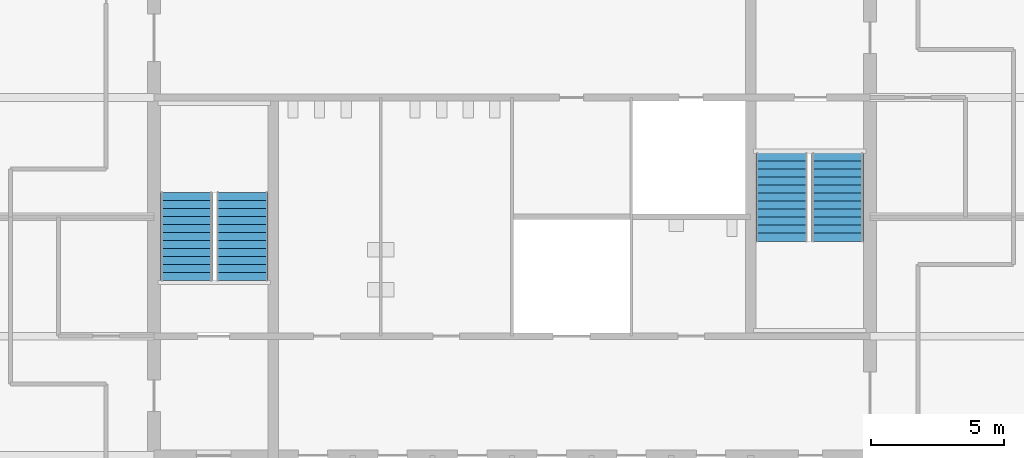
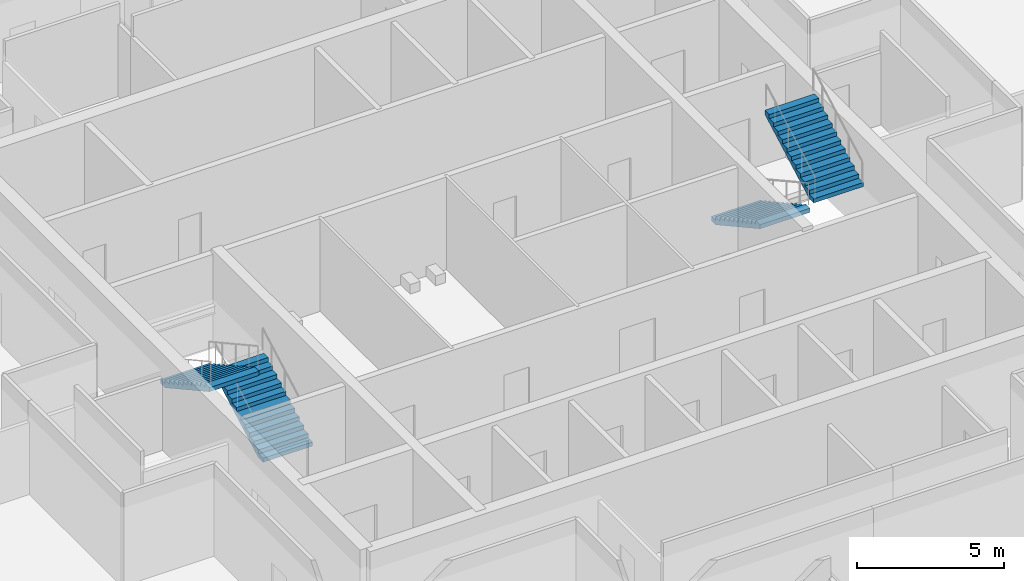
# One storey, part 11 of 13: 4 stair flights, 2 elements without a shape of their own.
"""IFC4 building model written with IfcOpenShell, lengths in metres."""

import ifcopenshell
import ifcopenshell.guid

model = None  # the IFC model being written
_history = None  # IfcOwnerHistory: only IFC2X3 demands one
_inside = {}  # id of a spatial element -> (the spatial element, [elements in it])
_under = {}  # id of a project, library or spatial element -> (it, [spatial elements below it])
_declared = {}  # id of a project -> (the project, [libraries it declares])
_typed = {}  # id of a type object -> (the type object, [elements of that type])
_made_of = {}  # id of a material, layer set ... -> (it, [elements and type objects made of it])


def new_model(schema):
    """Start an empty IFC model of exactly this schema.

    Asked for "IFC4X3", IfcOpenShell would pick the latest addendum, in which some entities
    have other attributes; the version numbers below select the first issue.
    IFC2X3 requires an IfcOwnerHistory on every rooted entity: one is made here for all.
    """
    global model, _history
    if schema == "IFC4X3":
        model = ifcopenshell.file(schema_version=(4, 3, 0, 0))
    else:
        model = ifcopenshell.file(schema=schema)
    _inside.clear()
    _under.clear()
    _declared.clear()
    _typed.clear()
    _made_of.clear()
    _history = None
    if model.schema == "IFC2X3":
        org = make("IfcOrganization", Name="unknown")
        user = make(
            "IfcPersonAndOrganization",
            ThePerson=make("IfcPerson", FamilyName="unknown"),
            TheOrganization=org,
        )
        app = make(
            "IfcApplication",
            ApplicationDeveloper=org,
            Version="unknown",
            ApplicationFullName="unknown",
            ApplicationIdentifier="unknown",
        )
        _history = make(
            "IfcOwnerHistory",
            OwningUser=user,
            OwningApplication=app,
            ChangeAction="ADDED",
            CreationDate=0,
        )
    return model


def make(cls, **values):
    """One entity of the class cls with the attributes given. An attribute that is None is left unset."""
    return model.create_entity(
        cls, **{name: value for name, value in values.items() if value is not None}
    )


def rooted(cls, **values):
    """An entity with a GlobalId (a new one), such as an element, a storey or a relation."""
    return make(cls, GlobalId=ifcopenshell.guid.new(), OwnerHistory=_history, **values)


def si_unit(unit_type, name, prefix=None):
    """IfcSIUnit, for example si_unit("LENGTHUNIT", "METRE", prefix="MILLI")."""
    return make("IfcSIUnit", UnitType=unit_type, Prefix=prefix, Name=name)


def assignment(units):
    """IfcUnitAssignment: the units of a project."""
    return None if units is None else make("IfcUnitAssignment", Units=units)


def point(xyz):
    """IfcCartesianPoint."""
    return None if xyz is None else make("IfcCartesianPoint", Coordinates=xyz)


def direction(xyz):
    """IfcDirection."""
    return None if xyz is None else make("IfcDirection", DirectionRatios=xyz)


def frame(location, z_axis=None, x_axis=None):
    """IfcAxis2Placement3D, a coordinate frame: its origin and axes. An axis left out is left unset."""
    return make(
        "IfcAxis2Placement3D",
        Location=point(location),
        Axis=direction(z_axis),
        RefDirection=direction(x_axis),
    )


def origin():
    """The frame at (0, 0, 0) with its axes left unset."""
    return frame((0.0, 0.0, 0.0))


def place(relative_to, where):
    """IfcLocalPlacement: puts the frame where relative to a parent placement (None: the world)."""
    return make(
        "IfcLocalPlacement", PlacementRelTo=relative_to, RelativePlacement=where
    )


def context(
    kind, dimensions, precision=None, world=None, true_north=None, identifier=None
):
    """IfcGeometricRepresentationContext, for example the 3D "Model" context."""
    return make(
        "IfcGeometricRepresentationContext",
        ContextIdentifier=identifier,
        ContextType=kind,
        CoordinateSpaceDimension=dimensions,
        Precision=precision,
        WorldCoordinateSystem=world,
        TrueNorth=true_north,
    )


def subcontext(parent, identifier, kind, view, scale=None):
    """IfcGeometricRepresentationSubContext, for example "Body" below "Model"."""
    return make(
        "IfcGeometricRepresentationSubContext",
        ContextIdentifier=identifier,
        ContextType=kind,
        ParentContext=parent,
        TargetScale=scale,
        TargetView=view,
    )


def project(units=None, contexts=None):
    """IfcProject with its units and contexts."""
    return rooted(
        "IfcProject",
        Name="project",
        RepresentationContexts=contexts,
        UnitsInContext=assignment(units),
    )


def spatial(cls, under=None, at=None, **own):
    """A site, building, storey or space (cls), placed at a placement, below another one or the project."""
    s = rooted(cls, ObjectPlacement=at, **own)
    if under is not None:
        _under.setdefault(under.id(), (under, []))[1].append(s)
    return s


def polyline(points):
    """IfcPolyline through the points."""
    return make("IfcPolyline", Points=[point(p) for p in points])


def outline(outer, holes=None, kind="AREA"):
    """IfcArbitraryClosedProfileDef: a profile drawn as a closed curve; with holes, ...WithVoids."""
    if holes is None:
        return make("IfcArbitraryClosedProfileDef", ProfileType=kind, OuterCurve=outer)
    return make(
        "IfcArbitraryProfileDefWithVoids",
        ProfileType=kind,
        OuterCurve=outer,
        InnerCurves=holes,
    )


def extrude(swept, where, along, depth):
    """IfcExtrudedAreaSolid: the profile swept, set in the frame where, extruded along a direction by depth."""
    return make(
        "IfcExtrudedAreaSolid",
        SweptArea=swept,
        Position=where,
        ExtrudedDirection=direction(along),
        Depth=depth,
    )


def shape(context_of_items, identifier, shape_type, items):
    """IfcShapeRepresentation: the items that make up one representation, for example the "Body"."""
    return make(
        "IfcShapeRepresentation",
        ContextOfItems=context_of_items,
        RepresentationIdentifier=identifier,
        RepresentationType=shape_type,
        Items=items,
    )


def material(Name=None, Category=None):
    """IfcMaterial."""
    return make("IfcMaterial", Name=Name, Category=Category)


def made_of(thing, what):
    """Note that an element or type object is made of a material, layer set ...; save() writes the relation."""
    if what is not None:
        _made_of.setdefault(what.id(), (what, []))[1].append(thing)
    return thing


def type_object(cls, material=None, **own):
    """A type object (cls), such as IfcWallType, which elements share."""
    return made_of(rooted(cls, **own), material)


def element(
    cls,
    number,
    at=None,
    inside=None,
    cuts=None,
    type_object=None,
    material=None,
    context=None,
    identifier="Body",
    shape_type=None,
    held_by="IfcProductDefinitionShape",
    body=None,
    shapes=None,
    **own,
):
    """One element of the class cls, such as IfcWall. Its Tag is "e" and its number.

    at: its placement. inside: the storey or other place that contains it. cuts: it is an
    opening in that element (IfcRelVoidsElement). A single representation is given by context,
    identifier, shape_type and body (its items); several are given by shapes. held_by: the class
    of the entity that holds the representations. save() writes the other relations.
    """
    e = rooted(cls, Tag="e%d" % number, ObjectPlacement=at, **own)
    if body is not None:
        shapes = [shape(context, identifier, shape_type, body)]
    if shapes is not None:
        e.Representation = make(held_by, Representations=shapes)
    if inside is not None:
        _inside.setdefault(inside.id(), (inside, []))[1].append(e)
    if cuts is not None:
        rooted(
            "IfcRelVoidsElement", RelatingBuildingElement=cuts, RelatedOpeningElement=e
        )
    if type_object is not None:
        _typed.setdefault(type_object.id(), (type_object, []))[1].append(e)
    return made_of(e, material)


def aggregate(whole, parts):
    """IfcRelAggregates: a whole, such as a stair, and the parts it consists of."""
    return rooted("IfcRelAggregates", RelatingObject=whole, RelatedObjects=parts)


def save(model, path):
    """Write the relations noted so far, then the file.

    IfcRelAggregates (storeys below a building ...), IfcRelContainedInSpatialStructure (elements
    in a storey), IfcRelDefinesByType, IfcRelAssociatesMaterial and IfcRelDeclares: one each for
    every whole, place, type object, material and project.
    """
    for whole, parts in _under.values():
        aggregate(whole, parts)
    for where, things in _inside.values():
        rooted(
            "IfcRelContainedInSpatialStructure",
            RelatedElements=things,
            RelatingStructure=where,
        )
    for kind, things in _typed.values():
        rooted("IfcRelDefinesByType", RelatedObjects=things, RelatingType=kind)
    for what, things in _made_of.values():
        rooted("IfcRelAssociatesMaterial", RelatedObjects=things, RelatingMaterial=what)
    for by, libraries in _declared.values():
        rooted("IfcRelDeclares", RelatingContext=by, RelatedDefinitions=libraries)
    model.write(path)


model = new_model("IFC4")

# Units and contexts
model_context = context("Model", 3, precision=1e-05, world=origin(), true_north=direction((0.0, 1.0)))
body_context = subcontext(model_context, "Body", "Model", "MODEL_VIEW")
ifc_project = project(units=[si_unit("LENGTHUNIT", "METRE"), si_unit("AREAUNIT", "SQUARE_METRE"), si_unit("VOLUMEUNIT", "CUBIC_METRE"), si_unit("PLANEANGLEUNIT", "RADIAN"), si_unit("MASSUNIT", "GRAM", prefix="KILO")], contexts=[model_context])

# Site, building, storey
site_placement = place(None, origin())
site = spatial("IfcSite", under=ifc_project, at=site_placement, CompositionType="ELEMENT")
building_placement = place(site_placement, origin())
building = spatial("IfcBuilding", under=site, at=building_placement, Name="Corais Broadcast Tower", CompositionType="ELEMENT")
storey_placement = place(building_placement, frame((0.0, 0.0, 123.60009765625)))
storey = spatial("IfcBuildingStorey", under=building, at=storey_placement, Name="L27", CompositionType="ELEMENT", Elevation=123.60009765625)

# Stair, stair flights
ifc_material_1 = material(Name="Concrete C30/37", Category="concrete")
stair_type = type_object("IfcStairType", Name="Half-turn stair 4000", PredefinedType="HALF_TURN_STAIR", material=ifc_material_1)
stair_1_placement = place(storey_placement, origin())
stair_1 = element("IfcStair", 1, at=stair_1_placement, inside=storey, type_object=stair_type, Name="Stair A L27", PredefinedType="HALF_TURN_STAIR")
ifc_material_2 = material(Name="Concrete C30/37", Category="concrete")
stair_flight_type = type_object("IfcStairFlightType", Name="Stair flight 4000", PredefinedType="STRAIGHT", material=ifc_material_2)
stair_flight_1_placement = place(storey_placement, frame((16.824951171875, 24.60009765625, 0.0), z_axis=(0.0, 0.0, 1.0), x_axis=(0.0, 1.0, 0.0)))
stair_flight_1 = element("IfcStairFlight", 2, at=stair_flight_1_placement, type_object=stair_flight_type, Name="STA flight 1", NumberOfRisers=12, NumberOfTreads=11, PredefinedType="STRAIGHT", RiserHeight=0.166666667, TreadLength=0.302, context=body_context, shape_type="SweptSolid", body=[
    extrude(outline(polyline([(0.0, 0.0), (0.0, 0.166748046875), (0.302001953125, 0.166748046875), (0.302001953125, 0.333251953125), (0.60400390625, 0.333251953125), (0.60400390625, 0.5), (0.906005859375, 0.5), (0.906005859375, 0.666748046875), (1.2080078125, 0.666748046875), (1.2080078125, 0.833251953125), (1.510009765625, 0.833251953125), (1.510009765625, 1.0), (1.81201171875, 1.0), (1.81201171875, 1.166748046875), (2.114013671875, 1.166748046875), (2.114013671875, 1.333251953125), (2.416015625, 1.333251953125), (2.416015625, 1.5), (2.718017578125, 1.5), (2.718017578125, 1.666748046875), (3.02001953125, 1.666748046875), (3.02001953125, 1.833251953125), (3.322021484375, 1.833251953125), (3.322021484375, 2.0), (3.322021484375, 1.662109375), (0.310302734375, 0.0), (0.0, 0.0)])), frame((0.0, 0.97509765625, 0.0), z_axis=(0.0, -1.0, 0.0), x_axis=(1.0, 0.0, 0.0)), (0.0, 0.0, 1.0), 1.949951171875),
])
stair_flight_2_placement = place(storey_placement, frame((14.72509765625, 27.922119140625, 2.0), z_axis=(0.0, 0.0, 1.0), x_axis=(0.0, -1.0, 0.0)))
stair_flight_2 = element("IfcStairFlight", 3, at=stair_flight_2_placement, type_object=stair_flight_type, Name="STA flight 2", NumberOfRisers=12, NumberOfTreads=11, PredefinedType="STRAIGHT", RiserHeight=0.166666667, TreadLength=0.302, context=body_context, shape_type="SweptSolid", body=[
    extrude(outline(polyline([(0.0, 0.0), (0.0, 0.166748046875), (0.302001953125, 0.166748046875), (0.302001953125, 0.333251953125), (0.60400390625, 0.333251953125), (0.60400390625, 0.5), (0.906005859375, 0.5), (0.906005859375, 0.666748046875), (1.2080078125, 0.666748046875), (1.2080078125, 0.833251953125), (1.510009765625, 0.833251953125), (1.510009765625, 1.0), (1.81201171875, 1.0), (1.81201171875, 1.166748046875), (2.114013671875, 1.166748046875), (2.114013671875, 1.333251953125), (2.416015625, 1.333251953125), (2.416015625, 1.5), (2.718017578125, 1.5), (2.718017578125, 1.666748046875), (3.02001953125, 1.666748046875), (3.02001953125, 1.833251953125), (3.322021484375, 1.833251953125), (3.322021484375, 2.0), (3.322021484375, 1.662109375), (0.310302734375, 0.0), (0.0, 0.0)])), frame((0.0, 0.97509765625, 0.0), z_axis=(0.0, -1.0, 0.0), x_axis=(1.0, 0.0, 0.0)), (0.0, 0.0, 1.0), 1.949951171875),
])
aggregate(stair_1, [stair_flight_1, stair_flight_2])

stair_2_placement = place(storey_placement, origin())
stair_2 = element("IfcStair", 4, at=stair_2_placement, inside=storey, type_object=stair_type, Name="Stair B L27", PredefinedType="HALF_TURN_STAIR")
stair_flight_3_placement = place(storey_placement, frame((37.175048828125, 29.39990234375, 0.0), z_axis=(0.0, 0.0, 1.0), x_axis=(0.0, -1.0, 0.0)))
stair_flight_3 = element("IfcStairFlight", 5, at=stair_flight_3_placement, type_object=stair_flight_type, Name="STB flight 1", NumberOfRisers=12, NumberOfTreads=11, PredefinedType="STRAIGHT", RiserHeight=0.166666667, TreadLength=0.302, context=body_context, shape_type="SweptSolid", body=[
    extrude(outline(polyline([(0.0, 0.0), (0.0, 0.166748046875), (0.302001953125, 0.166748046875), (0.302001953125, 0.333251953125), (0.60400390625, 0.333251953125), (0.60400390625, 0.5), (0.906005859375, 0.5), (0.906005859375, 0.666748046875), (1.2080078125, 0.666748046875), (1.2080078125, 0.833251953125), (1.510009765625, 0.833251953125), (1.510009765625, 1.0), (1.81201171875, 1.0), (1.81201171875, 1.166748046875), (2.114013671875, 1.166748046875), (2.114013671875, 1.333251953125), (2.416015625, 1.333251953125), (2.416015625, 1.5), (2.718017578125, 1.5), (2.718017578125, 1.666748046875), (3.02001953125, 1.666748046875), (3.02001953125, 1.833251953125), (3.322021484375, 1.833251953125), (3.322021484375, 2.0), (3.322021484375, 1.662109375), (0.310302734375, 0.0), (0.0, 0.0)])), frame((0.0, 0.97509765625, 0.0), z_axis=(0.0, -1.0, 0.0), x_axis=(1.0, 0.0, 0.0)), (0.0, 0.0, 1.0), 1.949951171875),
])
stair_flight_4_placement = place(storey_placement, frame((39.27490234375, 26.077880859375, 2.0), z_axis=(0.0, 0.0, 1.0), x_axis=(0.0, 1.0, 0.0)))
stair_flight_4 = element("IfcStairFlight", 6, at=stair_flight_4_placement, type_object=stair_flight_type, Name="STB flight 2", NumberOfRisers=12, NumberOfTreads=11, PredefinedType="STRAIGHT", RiserHeight=0.166666667, TreadLength=0.302, context=body_context, shape_type="SweptSolid", body=[
    extrude(outline(polyline([(0.0, 0.0), (0.0, 0.166748046875), (0.302001953125, 0.166748046875), (0.302001953125, 0.333251953125), (0.60400390625, 0.333251953125), (0.60400390625, 0.5), (0.906005859375, 0.5), (0.906005859375, 0.666748046875), (1.2080078125, 0.666748046875), (1.2080078125, 0.833251953125), (1.510009765625, 0.833251953125), (1.510009765625, 1.0), (1.81201171875, 1.0), (1.81201171875, 1.166748046875), (2.114013671875, 1.166748046875), (2.114013671875, 1.333251953125), (2.416015625, 1.333251953125), (2.416015625, 1.5), (2.718017578125, 1.5), (2.718017578125, 1.666748046875), (3.02001953125, 1.666748046875), (3.02001953125, 1.833251953125), (3.322021484375, 1.833251953125), (3.322021484375, 2.0), (3.322021484375, 1.662109375), (0.310302734375, 0.0), (0.0, 0.0)])), frame((0.0, 0.97509765625, 0.0), z_axis=(0.0, -1.0, 0.0), x_axis=(1.0, 0.0, 0.0)), (0.0, 0.0, 1.0), 1.949951171875),
])
aggregate(stair_2, [stair_flight_3, stair_flight_4])

save(model, "model.ifc")
